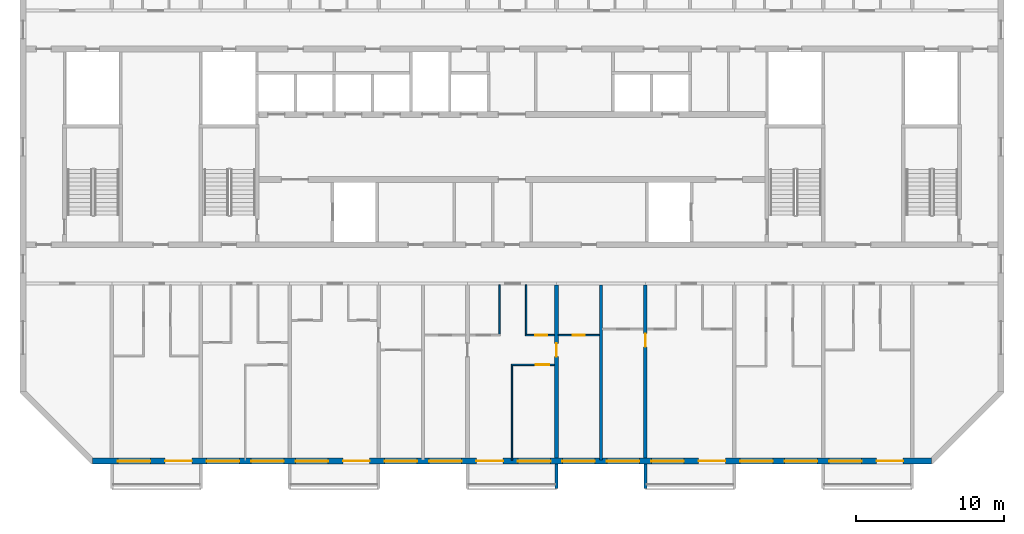
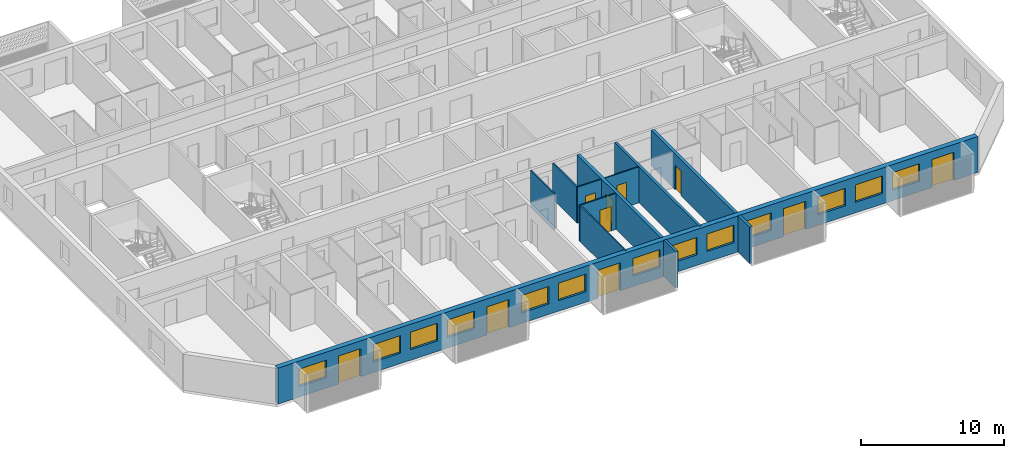
# One storey, part 4 of 26: 13 windows, 12 walls, 10 doors, 23 openings.
"""IFC4 building model written with IfcOpenShell, lengths in metres."""

import ifcopenshell
import ifcopenshell.guid

model = None  # the IFC model being written
_history = None  # IfcOwnerHistory: only IFC2X3 demands one
_inside = {}  # id of a spatial element -> (the spatial element, [elements in it])
_under = {}  # id of a project, library or spatial element -> (it, [spatial elements below it])
_declared = {}  # id of a project -> (the project, [libraries it declares])
_typed = {}  # id of a type object -> (the type object, [elements of that type])
_made_of = {}  # id of a material, layer set ... -> (it, [elements and type objects made of it])


def new_model(schema):
    """Start an empty IFC model of exactly this schema.

    Asked for "IFC4X3", IfcOpenShell would pick the latest addendum, in which some entities
    have other attributes; the version numbers below select the first issue.
    IFC2X3 requires an IfcOwnerHistory on every rooted entity: one is made here for all.
    """
    global model, _history
    if schema == "IFC4X3":
        model = ifcopenshell.file(schema_version=(4, 3, 0, 0))
    else:
        model = ifcopenshell.file(schema=schema)
    _inside.clear()
    _under.clear()
    _declared.clear()
    _typed.clear()
    _made_of.clear()
    _history = None
    if model.schema == "IFC2X3":
        org = make("IfcOrganization", Name="unknown")
        user = make(
            "IfcPersonAndOrganization",
            ThePerson=make("IfcPerson", FamilyName="unknown"),
            TheOrganization=org,
        )
        app = make(
            "IfcApplication",
            ApplicationDeveloper=org,
            Version="unknown",
            ApplicationFullName="unknown",
            ApplicationIdentifier="unknown",
        )
        _history = make(
            "IfcOwnerHistory",
            OwningUser=user,
            OwningApplication=app,
            ChangeAction="ADDED",
            CreationDate=0,
        )
    return model


def make(cls, **values):
    """One entity of the class cls with the attributes given. An attribute that is None is left unset."""
    return model.create_entity(
        cls, **{name: value for name, value in values.items() if value is not None}
    )


def rooted(cls, **values):
    """An entity with a GlobalId (a new one), such as an element, a storey or a relation."""
    return make(cls, GlobalId=ifcopenshell.guid.new(), OwnerHistory=_history, **values)


def si_unit(unit_type, name, prefix=None):
    """IfcSIUnit, for example si_unit("LENGTHUNIT", "METRE", prefix="MILLI")."""
    return make("IfcSIUnit", UnitType=unit_type, Prefix=prefix, Name=name)


def assignment(units):
    """IfcUnitAssignment: the units of a project."""
    return None if units is None else make("IfcUnitAssignment", Units=units)


def point(xyz):
    """IfcCartesianPoint."""
    return None if xyz is None else make("IfcCartesianPoint", Coordinates=xyz)


def direction(xyz):
    """IfcDirection."""
    return None if xyz is None else make("IfcDirection", DirectionRatios=xyz)


def frame(location, z_axis=None, x_axis=None):
    """IfcAxis2Placement3D, a coordinate frame: its origin and axes. An axis left out is left unset."""
    return make(
        "IfcAxis2Placement3D",
        Location=point(location),
        Axis=direction(z_axis),
        RefDirection=direction(x_axis),
    )


def frame_2d(location, x_axis=None):
    """IfcAxis2Placement2D, a coordinate frame in the plane: its origin and x axis."""
    return make(
        "IfcAxis2Placement2D", Location=point(location), RefDirection=direction(x_axis)
    )


def origin():
    """The frame at (0, 0, 0) with its axes left unset."""
    return frame((0.0, 0.0, 0.0))


def place(relative_to, where):
    """IfcLocalPlacement: puts the frame where relative to a parent placement (None: the world)."""
    return make(
        "IfcLocalPlacement", PlacementRelTo=relative_to, RelativePlacement=where
    )


def context(
    kind, dimensions, precision=None, world=None, true_north=None, identifier=None
):
    """IfcGeometricRepresentationContext, for example the 3D "Model" context."""
    return make(
        "IfcGeometricRepresentationContext",
        ContextIdentifier=identifier,
        ContextType=kind,
        CoordinateSpaceDimension=dimensions,
        Precision=precision,
        WorldCoordinateSystem=world,
        TrueNorth=true_north,
    )


def subcontext(parent, identifier, kind, view, scale=None):
    """IfcGeometricRepresentationSubContext, for example "Body" below "Model"."""
    return make(
        "IfcGeometricRepresentationSubContext",
        ContextIdentifier=identifier,
        ContextType=kind,
        ParentContext=parent,
        TargetScale=scale,
        TargetView=view,
    )


def project(units=None, contexts=None):
    """IfcProject with its units and contexts."""
    return rooted(
        "IfcProject",
        Name="project",
        RepresentationContexts=contexts,
        UnitsInContext=assignment(units),
    )


def spatial(cls, under=None, at=None, **own):
    """A site, building, storey or space (cls), placed at a placement, below another one or the project."""
    s = rooted(cls, ObjectPlacement=at, **own)
    if under is not None:
        _under.setdefault(under.id(), (under, []))[1].append(s)
    return s


def polyline(points):
    """IfcPolyline through the points."""
    return make("IfcPolyline", Points=[point(p) for p in points])


def profile(cls, at=None, kind="AREA", **sizes):
    """A parametric profile (cls). Its sizes go by their IFC names, for example OverallWidth=200.0."""
    return make(cls, ProfileType=kind, Position=at, **sizes)


def rectangle(**sizes):
    """IfcRectangleProfileDef."""
    return profile("IfcRectangleProfileDef", **sizes)


def outline(outer, holes=None, kind="AREA"):
    """IfcArbitraryClosedProfileDef: a profile drawn as a closed curve; with holes, ...WithVoids."""
    if holes is None:
        return make("IfcArbitraryClosedProfileDef", ProfileType=kind, OuterCurve=outer)
    return make(
        "IfcArbitraryProfileDefWithVoids",
        ProfileType=kind,
        OuterCurve=outer,
        InnerCurves=holes,
    )


def extrude(swept, where, along, depth):
    """IfcExtrudedAreaSolid: the profile swept, set in the frame where, extruded along a direction by depth."""
    return make(
        "IfcExtrudedAreaSolid",
        SweptArea=swept,
        Position=where,
        ExtrudedDirection=direction(along),
        Depth=depth,
    )


def shape(context_of_items, identifier, shape_type, items):
    """IfcShapeRepresentation: the items that make up one representation, for example the "Body"."""
    return make(
        "IfcShapeRepresentation",
        ContextOfItems=context_of_items,
        RepresentationIdentifier=identifier,
        RepresentationType=shape_type,
        Items=items,
    )


def source(mapping_origin, context_of_items, identifier, shape_type, items):
    """IfcRepresentationMap: a shape defined once, which mapped items show again and again."""
    return make(
        "IfcRepresentationMap",
        MappingOrigin=mapping_origin,
        MappedRepresentation=shape(context_of_items, identifier, shape_type, items),
    )


def transform(
    local_origin,
    x_axis=None,
    y_axis=None,
    z_axis=None,
    scale=None,
    scale2=None,
    scale3=None,
    uniform=True,
):
    """IfcCartesianTransformationOperator3D, or its non-uniform kind. x_axis, y_axis, z_axis: its Axis1, 2, 3."""
    if uniform:
        return make(
            "IfcCartesianTransformationOperator3D",
            Axis1=direction(x_axis),
            Axis2=direction(y_axis),
            LocalOrigin=point(local_origin),
            Scale=scale,
            Axis3=direction(z_axis),
        )
    return make(
        "IfcCartesianTransformationOperator3DnonUniform",
        Axis1=direction(x_axis),
        Axis2=direction(y_axis),
        LocalOrigin=point(local_origin),
        Scale=scale,
        Axis3=direction(z_axis),
        Scale2=scale2,
        Scale3=scale3,
    )


def mapped(mapping_source, mapping_target):
    """IfcMappedItem: shows the shape of a source again, moved by a transform."""
    return make(
        "IfcMappedItem", MappingSource=mapping_source, MappingTarget=mapping_target
    )


def material(Name=None, Category=None):
    """IfcMaterial."""
    return make("IfcMaterial", Name=Name, Category=Category)


def layer(
    of_material, thickness, ventilated=None, Name=None, Category=None, Priority=None
):
    """IfcMaterialLayer: one layer of a wall or slab, of a material (None: an air gap)."""
    return make(
        "IfcMaterialLayer",
        Material=of_material,
        LayerThickness=thickness,
        IsVentilated=ventilated,
        Name=Name,
        Category=Category,
        Priority=Priority,
    )


def layer_set(layers, Name=None):
    """IfcMaterialLayerSet."""
    return make("IfcMaterialLayerSet", MaterialLayers=layers, LayerSetName=Name)


def made_of(thing, what):
    """Note that an element or type object is made of a material, layer set ...; save() writes the relation."""
    if what is not None:
        _made_of.setdefault(what.id(), (what, []))[1].append(thing)
    return thing


def type_object(cls, material=None, **own):
    """A type object (cls), such as IfcWallType, which elements share."""
    return made_of(rooted(cls, **own), material)


def element(
    cls,
    number,
    at=None,
    inside=None,
    cuts=None,
    type_object=None,
    material=None,
    context=None,
    identifier="Body",
    shape_type=None,
    held_by="IfcProductDefinitionShape",
    body=None,
    shapes=None,
    **own,
):
    """One element of the class cls, such as IfcWall. Its Tag is "e" and its number.

    at: its placement. inside: the storey or other place that contains it. cuts: it is an
    opening in that element (IfcRelVoidsElement). A single representation is given by context,
    identifier, shape_type and body (its items); several are given by shapes. held_by: the class
    of the entity that holds the representations. save() writes the other relations.
    """
    e = rooted(cls, Tag="e%d" % number, ObjectPlacement=at, **own)
    if body is not None:
        shapes = [shape(context, identifier, shape_type, body)]
    if shapes is not None:
        e.Representation = make(held_by, Representations=shapes)
    if inside is not None:
        _inside.setdefault(inside.id(), (inside, []))[1].append(e)
    if cuts is not None:
        rooted(
            "IfcRelVoidsElement", RelatingBuildingElement=cuts, RelatedOpeningElement=e
        )
    if type_object is not None:
        _typed.setdefault(type_object.id(), (type_object, []))[1].append(e)
    return made_of(e, material)


def fill(opening, filler):
    """IfcRelFillsElement: the door or window that sits in an opening."""
    return rooted(
        "IfcRelFillsElement",
        RelatingOpeningElement=opening,
        RelatedBuildingElement=filler,
    )


def aggregate(whole, parts):
    """IfcRelAggregates: a whole, such as a stair, and the parts it consists of."""
    return rooted("IfcRelAggregates", RelatingObject=whole, RelatedObjects=parts)


def save(model, path):
    """Write the relations noted so far, then the file.

    IfcRelAggregates (storeys below a building ...), IfcRelContainedInSpatialStructure (elements
    in a storey), IfcRelDefinesByType, IfcRelAssociatesMaterial and IfcRelDeclares: one each for
    every whole, place, type object, material and project.
    """
    for whole, parts in _under.values():
        aggregate(whole, parts)
    for where, things in _inside.values():
        rooted(
            "IfcRelContainedInSpatialStructure",
            RelatedElements=things,
            RelatingStructure=where,
        )
    for kind, things in _typed.values():
        rooted("IfcRelDefinesByType", RelatedObjects=things, RelatingType=kind)
    for what, things in _made_of.values():
        rooted("IfcRelAssociatesMaterial", RelatedObjects=things, RelatingMaterial=what)
    for by, libraries in _declared.values():
        rooted("IfcRelDeclares", RelatingContext=by, RelatedDefinitions=libraries)
    model.write(path)


model = new_model("IFC4")

# Units and contexts
model_context = context("Model", 3, precision=1e-05, world=origin(), true_north=direction((0.0, 1.0)))
body_context = subcontext(model_context, "Body", "Model", "MODEL_VIEW")
ifc_project = project(units=[si_unit("LENGTHUNIT", "METRE"), si_unit("AREAUNIT", "SQUARE_METRE"), si_unit("VOLUMEUNIT", "CUBIC_METRE"), si_unit("PLANEANGLEUNIT", "RADIAN"), si_unit("MASSUNIT", "GRAM", prefix="KILO")], contexts=[model_context])

# Site, building, storey
site_placement = place(None, origin())
site = spatial("IfcSite", under=ifc_project, at=site_placement, CompositionType="ELEMENT")
building_placement = place(site_placement, origin())
building = spatial("IfcBuilding", under=site, at=building_placement, Name="Poui Terraces", CompositionType="ELEMENT")
storey_placement = place(building_placement, frame((0.0, 0.0, 178.5)))
storey = spatial("IfcBuildingStorey", under=building, at=storey_placement, Name="L49", CompositionType="ELEMENT", Elevation=178.5)

# Wall, opening, door
ifc_material_1 = material(Name="Concrete 50 MPa", Category="concrete")
ifc_layer_1 = layer(ifc_material_1, 0.25)
ifc_layer_set_1 = layer_set([ifc_layer_1], Name="Concrete 50 MPa")
wall_type_1 = type_object("IfcWallType", Name="CROSS WALL 250 50MPa", PredefinedType="SHEAR", material=ifc_layer_set_1)
wall_1_placement = place(storey_placement, frame((54.0, 0.199951171875, 0.0), z_axis=(0.0, 0.0, 1.0), x_axis=(0.0, 1.0, 0.0)))
wall_1 = element("IfcWall", 1, at=wall_1_placement, inside=storey, type_object=wall_type_1, Name="CROSS WALL LINE 10 SOUTH", PredefinedType="SHEAR", context=body_context, shape_type="SweptSolid", body=[
    extrude(rectangle(XDim=11.699951171875, YDim=0.25, at=frame_2d((5.85009765625, 0.0))), origin(), (0.0, 0.0, 1.0), 3.080078125),
])
opening_1_placement = place(wall_1_placement, frame((6.85009765625, 0.0, 0.0)))
opening_1 = element("IfcOpeningElement", 2, at=opening_1_placement, cuts=wall_1, Name="Opening D90", PredefinedType="OPENING", context=body_context, shape_type="SweptSolid", body=[
    extrude(rectangle(XDim=0.89990234375, YDim=2.10009765625, at=frame_2d((0.449951171875, 1.050048828125))), frame((0.0, 0.135009765625, 0.0), z_axis=(0.0, -1.0, 0.0), x_axis=(1.0, 0.0, 0.0)), (0.0, 0.0, 1.0), 0.27001953125),
])
ifc_material_2 = material(Name="Solid core timber door", Category="wood")
door_type_1 = type_object("IfcDoorType", Name="INTERNAL DOOR 900 X 2100", OperationType="NOTDEFINED", PredefinedType="DOOR", material=ifc_material_2)
door_1_placement = place(opening_1_placement, frame((0.89990234375, 0.0, 0.0), z_axis=(0.0, 0.0, 1.0), x_axis=(-1.0, 0.0, 0.0)))
door_1 = element("IfcDoor", 3, at=door_1_placement, inside=storey, type_object=door_type_1, Name="INTERNAL DOOR 082", OperationType="SINGLE_SWING_LEFT", OverallHeight=2.10009765625, OverallWidth=0.89990234375, PredefinedType="DOOR", context=body_context, shape_type="SweptSolid", body=[
    extrude(rectangle(XDim=0.89990234375, YDim=2.10009765625, at=frame_2d((0.449951171875, 1.050048828125))), frame((0.0, 0.02490234375, 0.0), z_axis=(0.0, -1.0, 0.0), x_axis=(1.0, 0.0, 0.0)), (0.0, 0.0, 1.0), 0.050048828125),
])
fill(opening_1, door_1)

wall_2_placement = place(storey_placement, frame((60.0, 0.199951171875, 0.0), z_axis=(0.0, 0.0, 1.0), x_axis=(0.0, 1.0, 0.0)))
wall_2 = element("IfcWall", 4, at=wall_2_placement, inside=storey, type_object=wall_type_1, Name="CROSS WALL LINE 11 SOUTH", PredefinedType="SHEAR", context=body_context, shape_type="SweptSolid", body=[
    extrude(rectangle(XDim=11.699951171875, YDim=0.25, at=frame_2d((5.85009765625, 0.0))), origin(), (0.0, 0.0, 1.0), 3.080078125),
])
opening_2_placement = place(wall_2_placement, frame((7.5, 0.0, 0.0)))
opening_2 = element("IfcOpeningElement", 5, at=opening_2_placement, cuts=wall_2, Name="Opening D90", PredefinedType="OPENING", context=body_context, shape_type="SweptSolid", body=[
    extrude(rectangle(XDim=0.89990234375, YDim=2.10009765625, at=frame_2d((0.449951171875, 1.050048828125))), frame((0.0, 0.135009765625, 0.0), z_axis=(0.0, -1.0, 0.0), x_axis=(1.0, 0.0, 0.0)), (0.0, 0.0, 1.0), 0.27001953125),
])
door_2_placement = place(opening_2_placement, origin())
door_2 = element("IfcDoor", 6, at=door_2_placement, inside=storey, type_object=door_type_1, Name="INTERNAL DOOR 084", OperationType="SINGLE_SWING_RIGHT", OverallHeight=2.10009765625, OverallWidth=0.89990234375, PredefinedType="DOOR", context=body_context, shape_type="SweptSolid", body=[
    extrude(rectangle(XDim=0.89990234375, YDim=2.10009765625, at=frame_2d((0.449951171875, 1.050048828125))), frame((0.0, 0.02490234375, 0.0), z_axis=(0.0, -1.0, 0.0), x_axis=(1.0, 0.0, 0.0)), (0.0, 0.0, 1.0), 0.050048828125),
])
fill(opening_2, door_2)

# Wall, openings, doors, windows
ifc_material_3 = material(Name="Precast concrete 40 MPa", Category="concrete")
ifc_layer_2 = layer(ifc_material_3, 0.39990234375)
ifc_layer_set_2 = layer_set([ifc_layer_2], Name="Precast concrete 40 MPa")
wall_type_2 = type_object("IfcWallType", Name="EXTERNAL WALL 400", PredefinedType="STANDARD", material=ifc_layer_set_2)
wall_3_placement = place(storey_placement, frame((22.682861328125, 0.0, 0.0), z_axis=(0.0, 0.0, 1.0), x_axis=(1.0, 0.0, 0.0)))
wall_3 = element("IfcWall", 7, at=wall_3_placement, inside=storey, type_object=wall_type_2, Name="EXTERNAL WALL S", PredefinedType="STANDARD", context=body_context, shape_type="SweptSolid", body=[
    extrude(rectangle(XDim=56.63427734375, YDim=0.39990234375, at=frame_2d((28.317138671875, 0.0))), origin(), (0.0, 0.0, 1.0), 3.080078125),
])
opening_3_placement = place(wall_3_placement, frame((1.71728515625, 0.0, 0.89990234375)))
opening_3 = element("IfcOpeningElement", 8, at=opening_3_placement, cuts=wall_3, Name="Opening W1", PredefinedType="OPENING", context=body_context, shape_type="SweptSolid", body=[
    extrude(rectangle(XDim=2.199951171875, YDim=1.5, at=frame_2d((1.10009765625, 0.75))), frame((0.0, 0.2099609375, 0.0), z_axis=(0.0, -1.0, 0.0), x_axis=(1.0, 0.0, 0.0)), (0.0, 0.0, 1.0), 0.419921875),
])
opening_4_placement = place(wall_3_placement, frame((4.917236328125, 0.0, 0.0)))
opening_4 = element("IfcOpeningElement", 9, at=opening_4_placement, cuts=wall_3, Name="Opening BD1", PredefinedType="OPENING", context=body_context, shape_type="SweptSolid", body=[
    extrude(rectangle(XDim=1.800048828125, YDim=2.39990234375, at=frame_2d((0.89990234375, 1.199951171875))), frame((0.0, 0.2099609375, 0.0), z_axis=(0.0, -1.0, 0.0), x_axis=(1.0, 0.0, 0.0)), (0.0, 0.0, 1.0), 0.419921875),
])
opening_5_placement = place(wall_3_placement, frame((7.71728515625, 0.0, 0.89990234375)))
opening_5 = element("IfcOpeningElement", 10, at=opening_5_placement, cuts=wall_3, Name="Opening W1", PredefinedType="OPENING", context=body_context, shape_type="SweptSolid", body=[
    extrude(rectangle(XDim=2.199951171875, YDim=1.5, at=frame_2d((1.10009765625, 0.75))), frame((0.0, 0.2099609375, 0.0), z_axis=(0.0, -1.0, 0.0), x_axis=(1.0, 0.0, 0.0)), (0.0, 0.0, 1.0), 0.419921875),
])
opening_6_placement = place(wall_3_placement, frame((10.71728515625, 0.0, 0.89990234375)))
opening_6 = element("IfcOpeningElement", 11, at=opening_6_placement, cuts=wall_3, Name="Opening W1", PredefinedType="OPENING", context=body_context, shape_type="SweptSolid", body=[
    extrude(rectangle(XDim=2.199951171875, YDim=1.5, at=frame_2d((1.10009765625, 0.75))), frame((0.0, 0.2099609375, 0.0), z_axis=(0.0, -1.0, 0.0), x_axis=(1.0, 0.0, 0.0)), (0.0, 0.0, 1.0), 0.419921875),
])
opening_7_placement = place(wall_3_placement, frame((13.71728515625, 0.0, 0.89990234375)))
opening_7 = element("IfcOpeningElement", 12, at=opening_7_placement, cuts=wall_3, Name="Opening W1", PredefinedType="OPENING", context=body_context, shape_type="SweptSolid", body=[
    extrude(rectangle(XDim=2.199951171875, YDim=1.5, at=frame_2d((1.10009765625, 0.75))), frame((0.0, 0.2099609375, 0.0), z_axis=(0.0, -1.0, 0.0), x_axis=(1.0, 0.0, 0.0)), (0.0, 0.0, 1.0), 0.419921875),
])
opening_8_placement = place(wall_3_placement, frame((16.917236328125, 0.0, 0.0)))
opening_8 = element("IfcOpeningElement", 13, at=opening_8_placement, cuts=wall_3, Name="Opening BD1", PredefinedType="OPENING", context=body_context, shape_type="SweptSolid", body=[
    extrude(rectangle(XDim=1.800048828125, YDim=2.39990234375, at=frame_2d((0.89990234375, 1.199951171875))), frame((0.0, 0.2099609375, 0.0), z_axis=(0.0, -1.0, 0.0), x_axis=(1.0, 0.0, 0.0)), (0.0, 0.0, 1.0), 0.419921875),
])
opening_9_placement = place(wall_3_placement, frame((19.71728515625, 0.0, 0.89990234375)))
opening_9 = element("IfcOpeningElement", 14, at=opening_9_placement, cuts=wall_3, Name="Opening W1", PredefinedType="OPENING", context=body_context, shape_type="SweptSolid", body=[
    extrude(rectangle(XDim=2.199951171875, YDim=1.5, at=frame_2d((1.10009765625, 0.75))), frame((0.0, 0.2099609375, 0.0), z_axis=(0.0, -1.0, 0.0), x_axis=(1.0, 0.0, 0.0)), (0.0, 0.0, 1.0), 0.419921875),
])
opening_10_placement = place(wall_3_placement, frame((22.71728515625, 0.0, 0.89990234375)))
opening_10 = element("IfcOpeningElement", 15, at=opening_10_placement, cuts=wall_3, Name="Opening W1", PredefinedType="OPENING", context=body_context, shape_type="SweptSolid", body=[
    extrude(rectangle(XDim=2.199951171875, YDim=1.5, at=frame_2d((1.10009765625, 0.75))), frame((0.0, 0.2099609375, 0.0), z_axis=(0.0, -1.0, 0.0), x_axis=(1.0, 0.0, 0.0)), (0.0, 0.0, 1.0), 0.419921875),
])
opening_11_placement = place(wall_3_placement, frame((25.917236328125, 0.0, 0.0)))
opening_11 = element("IfcOpeningElement", 16, at=opening_11_placement, cuts=wall_3, Name="Opening BD1", PredefinedType="OPENING", context=body_context, shape_type="SweptSolid", body=[
    extrude(rectangle(XDim=1.800048828125, YDim=2.39990234375, at=frame_2d((0.89990234375, 1.199951171875))), frame((0.0, 0.2099609375, 0.0), z_axis=(0.0, -1.0, 0.0), x_axis=(1.0, 0.0, 0.0)), (0.0, 0.0, 1.0), 0.419921875),
])
opening_12_placement = place(wall_3_placement, frame((28.71728515625, 0.0, 0.89990234375)))
opening_12 = element("IfcOpeningElement", 17, at=opening_12_placement, cuts=wall_3, Name="Opening W1", PredefinedType="OPENING", context=body_context, shape_type="SweptSolid", body=[
    extrude(rectangle(XDim=2.199951171875, YDim=1.5, at=frame_2d((1.10009765625, 0.75))), frame((0.0, 0.2099609375, 0.0), z_axis=(0.0, -1.0, 0.0), x_axis=(1.0, 0.0, 0.0)), (0.0, 0.0, 1.0), 0.419921875),
])
opening_13_placement = place(wall_3_placement, frame((31.71728515625, 0.0, 0.89990234375)))
opening_13 = element("IfcOpeningElement", 18, at=opening_13_placement, cuts=wall_3, Name="Opening W1", PredefinedType="OPENING", context=body_context, shape_type="SweptSolid", body=[
    extrude(rectangle(XDim=2.199951171875, YDim=1.5, at=frame_2d((1.10009765625, 0.75))), frame((0.0, 0.2099609375, 0.0), z_axis=(0.0, -1.0, 0.0), x_axis=(1.0, 0.0, 0.0)), (0.0, 0.0, 1.0), 0.419921875),
])
opening_14_placement = place(wall_3_placement, frame((34.71728515625, 0.0, 0.89990234375)))
opening_14 = element("IfcOpeningElement", 19, at=opening_14_placement, cuts=wall_3, Name="Opening W1", PredefinedType="OPENING", context=body_context, shape_type="SweptSolid", body=[
    extrude(rectangle(XDim=2.199951171875, YDim=1.5, at=frame_2d((1.10009765625, 0.75))), frame((0.0, 0.2099609375, 0.0), z_axis=(0.0, -1.0, 0.0), x_axis=(1.0, 0.0, 0.0)), (0.0, 0.0, 1.0), 0.419921875),
])
opening_15_placement = place(wall_3_placement, frame((37.71728515625, 0.0, 0.89990234375)))
opening_15 = element("IfcOpeningElement", 20, at=opening_15_placement, cuts=wall_3, Name="Opening W1", PredefinedType="OPENING", context=body_context, shape_type="SweptSolid", body=[
    extrude(rectangle(XDim=2.199951171875, YDim=1.5, at=frame_2d((1.10009765625, 0.75))), frame((0.0, 0.2099609375, 0.0), z_axis=(0.0, -1.0, 0.0), x_axis=(1.0, 0.0, 0.0)), (0.0, 0.0, 1.0), 0.419921875),
])
opening_16_placement = place(wall_3_placement, frame((40.917236328125, 0.0, 0.0)))
opening_16 = element("IfcOpeningElement", 21, at=opening_16_placement, cuts=wall_3, Name="Opening BD1", PredefinedType="OPENING", context=body_context, shape_type="SweptSolid", body=[
    extrude(rectangle(XDim=1.800048828125, YDim=2.39990234375, at=frame_2d((0.89990234375, 1.199951171875))), frame((0.0, 0.2099609375, 0.0), z_axis=(0.0, -1.0, 0.0), x_axis=(1.0, 0.0, 0.0)), (0.0, 0.0, 1.0), 0.419921875),
])
opening_17_placement = place(wall_3_placement, frame((43.71728515625, 0.0, 0.89990234375)))
opening_17 = element("IfcOpeningElement", 22, at=opening_17_placement, cuts=wall_3, Name="Opening W1", PredefinedType="OPENING", context=body_context, shape_type="SweptSolid", body=[
    extrude(rectangle(XDim=2.199951171875, YDim=1.5, at=frame_2d((1.10009765625, 0.75))), frame((0.0, 0.2099609375, 0.0), z_axis=(0.0, -1.0, 0.0), x_axis=(1.0, 0.0, 0.0)), (0.0, 0.0, 1.0), 0.419921875),
])
opening_18_placement = place(wall_3_placement, frame((46.71728515625, 0.0, 0.89990234375)))
opening_18 = element("IfcOpeningElement", 23, at=opening_18_placement, cuts=wall_3, Name="Opening W1", PredefinedType="OPENING", context=body_context, shape_type="SweptSolid", body=[
    extrude(rectangle(XDim=2.199951171875, YDim=1.5, at=frame_2d((1.10009765625, 0.75))), frame((0.0, 0.2099609375, 0.0), z_axis=(0.0, -1.0, 0.0), x_axis=(1.0, 0.0, 0.0)), (0.0, 0.0, 1.0), 0.419921875),
])
opening_19_placement = place(wall_3_placement, frame((49.71728515625, 0.0, 0.89990234375)))
opening_19 = element("IfcOpeningElement", 24, at=opening_19_placement, cuts=wall_3, Name="Opening W1", PredefinedType="OPENING", context=body_context, shape_type="SweptSolid", body=[
    extrude(rectangle(XDim=2.199951171875, YDim=1.5, at=frame_2d((1.10009765625, 0.75))), frame((0.0, 0.2099609375, 0.0), z_axis=(0.0, -1.0, 0.0), x_axis=(1.0, 0.0, 0.0)), (0.0, 0.0, 1.0), 0.419921875),
])
opening_20_placement = place(wall_3_placement, frame((52.917236328125, 0.0, 0.0)))
opening_20 = element("IfcOpeningElement", 25, at=opening_20_placement, cuts=wall_3, Name="Opening BD1", PredefinedType="OPENING", context=body_context, shape_type="SweptSolid", body=[
    extrude(rectangle(XDim=1.800048828125, YDim=2.39990234375, at=frame_2d((0.89990234375, 1.199951171875))), frame((0.0, 0.2099609375, 0.0), z_axis=(0.0, -1.0, 0.0), x_axis=(1.0, 0.0, 0.0)), (0.0, 0.0, 1.0), 0.419921875),
])
ifc_material_4 = material(Name="Clear glass in aluminium frame", Category="aluminium")
door_type_2 = type_object("IfcDoorType", Name="BALCONY DOOR 1800X2400", OperationType="DOUBLE_DOOR_SLIDING", PredefinedType="DOOR", material=ifc_material_4)
door_3_placement = place(opening_4_placement, origin())
door_3 = element("IfcDoor", 26, at=door_3_placement, inside=storey, type_object=door_type_2, Name="BD1 BALCONY DOOR", OperationType="DOUBLE_DOOR_SLIDING", OverallHeight=2.39990234375, OverallWidth=1.800048828125, PredefinedType="DOOR", context=body_context, shape_type="SweptSolid", body=[
    extrude(rectangle(XDim=1.800048828125, YDim=2.39990234375, at=frame_2d((0.89990234375, 1.199951171875))), frame((0.0, 0.02490234375, 0.0), z_axis=(0.0, -1.0, 0.0), x_axis=(1.0, 0.0, 0.0)), (0.0, 0.0, 1.0), 0.050048828125),
])
fill(opening_4, door_3)
door_4_placement = place(opening_8_placement, origin())
door_4 = element("IfcDoor", 27, at=door_4_placement, inside=storey, type_object=door_type_2, Name="BD1 BALCONY DOOR", OperationType="DOUBLE_DOOR_SLIDING", OverallHeight=2.39990234375, OverallWidth=1.800048828125, PredefinedType="DOOR", context=body_context, shape_type="SweptSolid", body=[
    extrude(rectangle(XDim=1.800048828125, YDim=2.39990234375, at=frame_2d((0.89990234375, 1.199951171875))), frame((0.0, 0.02490234375, 0.0), z_axis=(0.0, -1.0, 0.0), x_axis=(1.0, 0.0, 0.0)), (0.0, 0.0, 1.0), 0.050048828125),
])
fill(opening_8, door_4)
door_5_placement = place(opening_11_placement, origin())
door_5 = element("IfcDoor", 28, at=door_5_placement, inside=storey, type_object=door_type_2, Name="BD1 BALCONY DOOR", OperationType="DOUBLE_DOOR_SLIDING", OverallHeight=2.39990234375, OverallWidth=1.800048828125, PredefinedType="DOOR", context=body_context, shape_type="SweptSolid", body=[
    extrude(rectangle(XDim=1.800048828125, YDim=2.39990234375, at=frame_2d((0.89990234375, 1.199951171875))), frame((0.0, 0.02490234375, 0.0), z_axis=(0.0, -1.0, 0.0), x_axis=(1.0, 0.0, 0.0)), (0.0, 0.0, 1.0), 0.050048828125),
])
fill(opening_11, door_5)
door_6_placement = place(opening_16_placement, origin())
door_6 = element("IfcDoor", 29, at=door_6_placement, inside=storey, type_object=door_type_2, Name="BD1 BALCONY DOOR", OperationType="DOUBLE_DOOR_SLIDING", OverallHeight=2.39990234375, OverallWidth=1.800048828125, PredefinedType="DOOR", context=body_context, shape_type="SweptSolid", body=[
    extrude(rectangle(XDim=1.800048828125, YDim=2.39990234375, at=frame_2d((0.89990234375, 1.199951171875))), frame((0.0, 0.02490234375, 0.0), z_axis=(0.0, -1.0, 0.0), x_axis=(1.0, 0.0, 0.0)), (0.0, 0.0, 1.0), 0.050048828125),
])
fill(opening_16, door_6)
door_7_placement = place(opening_20_placement, origin())
door_7 = element("IfcDoor", 30, at=door_7_placement, inside=storey, type_object=door_type_2, Name="BD1 BALCONY DOOR", OperationType="DOUBLE_DOOR_SLIDING", OverallHeight=2.39990234375, OverallWidth=1.800048828125, PredefinedType="DOOR", context=body_context, shape_type="SweptSolid", body=[
    extrude(rectangle(XDim=1.800048828125, YDim=2.39990234375, at=frame_2d((0.89990234375, 1.199951171875))), frame((0.0, 0.02490234375, 0.0), z_axis=(0.0, -1.0, 0.0), x_axis=(1.0, 0.0, 0.0)), (0.0, 0.0, 1.0), 0.050048828125),
])
fill(opening_20, door_7)
window_type = type_object("IfcWindowType", Name="WINDOW 2200X1500", PartitioningType="DOUBLE_PANEL_HORIZONTAL", PredefinedType="WINDOW", material=ifc_material_4)
window_1_placement = place(opening_3_placement, origin())
window_1 = element("IfcWindow", 31, at=window_1_placement, inside=storey, type_object=window_type, Name="W1 WINDOW", OverallHeight=1.5, OverallWidth=2.199951171875, PartitioningType="DOUBLE_PANEL_HORIZONTAL", PredefinedType="WINDOW", context=body_context, shape_type="SweptSolid", body=[
    extrude(rectangle(XDim=2.199951171875, YDim=1.5, at=frame_2d((1.10009765625, 0.75))), frame((0.0, 0.030029296875, 0.0), z_axis=(0.0, -1.0, 0.0), x_axis=(1.0, 0.0, 0.0)), (0.0, 0.0, 1.0), 0.06005859375),
])
fill(opening_3, window_1)
window_2_placement = place(opening_5_placement, origin())
window_2 = element("IfcWindow", 32, at=window_2_placement, inside=storey, type_object=window_type, Name="W1 WINDOW", OverallHeight=1.5, OverallWidth=2.199951171875, PartitioningType="DOUBLE_PANEL_HORIZONTAL", PredefinedType="WINDOW", context=body_context, shape_type="SweptSolid", body=[
    extrude(rectangle(XDim=2.199951171875, YDim=1.5, at=frame_2d((1.10009765625, 0.75))), frame((0.0, 0.030029296875, 0.0), z_axis=(0.0, -1.0, 0.0), x_axis=(1.0, 0.0, 0.0)), (0.0, 0.0, 1.0), 0.06005859375),
])
fill(opening_5, window_2)
window_3_placement = place(opening_6_placement, origin())
window_3 = element("IfcWindow", 33, at=window_3_placement, inside=storey, type_object=window_type, Name="W1 WINDOW", OverallHeight=1.5, OverallWidth=2.199951171875, PartitioningType="DOUBLE_PANEL_HORIZONTAL", PredefinedType="WINDOW", context=body_context, shape_type="SweptSolid", body=[
    extrude(rectangle(XDim=2.199951171875, YDim=1.5, at=frame_2d((1.10009765625, 0.75))), frame((0.0, 0.030029296875, 0.0), z_axis=(0.0, -1.0, 0.0), x_axis=(1.0, 0.0, 0.0)), (0.0, 0.0, 1.0), 0.06005859375),
])
fill(opening_6, window_3)
window_4_placement = place(opening_7_placement, origin())
window_4 = element("IfcWindow", 34, at=window_4_placement, inside=storey, type_object=window_type, Name="W1 WINDOW", OverallHeight=1.5, OverallWidth=2.199951171875, PartitioningType="DOUBLE_PANEL_HORIZONTAL", PredefinedType="WINDOW", context=body_context, shape_type="SweptSolid", body=[
    extrude(rectangle(XDim=2.199951171875, YDim=1.5, at=frame_2d((1.10009765625, 0.75))), frame((0.0, 0.030029296875, 0.0), z_axis=(0.0, -1.0, 0.0), x_axis=(1.0, 0.0, 0.0)), (0.0, 0.0, 1.0), 0.06005859375),
])
fill(opening_7, window_4)
window_5_placement = place(opening_9_placement, origin())
window_5 = element("IfcWindow", 35, at=window_5_placement, inside=storey, type_object=window_type, Name="W1 WINDOW", OverallHeight=1.5, OverallWidth=2.199951171875, PartitioningType="DOUBLE_PANEL_HORIZONTAL", PredefinedType="WINDOW", context=body_context, shape_type="SweptSolid", body=[
    extrude(rectangle(XDim=2.199951171875, YDim=1.5, at=frame_2d((1.10009765625, 0.75))), frame((0.0, 0.030029296875, 0.0), z_axis=(0.0, -1.0, 0.0), x_axis=(1.0, 0.0, 0.0)), (0.0, 0.0, 1.0), 0.06005859375),
])
fill(opening_9, window_5)
window_6_placement = place(opening_10_placement, origin())
window_6 = element("IfcWindow", 36, at=window_6_placement, inside=storey, type_object=window_type, Name="W1 WINDOW", OverallHeight=1.5, OverallWidth=2.199951171875, PartitioningType="DOUBLE_PANEL_HORIZONTAL", PredefinedType="WINDOW", context=body_context, shape_type="SweptSolid", body=[
    extrude(rectangle(XDim=2.199951171875, YDim=1.5, at=frame_2d((1.10009765625, 0.75))), frame((0.0, 0.030029296875, 0.0), z_axis=(0.0, -1.0, 0.0), x_axis=(1.0, 0.0, 0.0)), (0.0, 0.0, 1.0), 0.06005859375),
])
fill(opening_10, window_6)
window_7_placement = place(opening_12_placement, origin())
window_7 = element("IfcWindow", 37, at=window_7_placement, inside=storey, type_object=window_type, Name="W1 WINDOW", OverallHeight=1.5, OverallWidth=2.199951171875, PartitioningType="DOUBLE_PANEL_HORIZONTAL", PredefinedType="WINDOW", context=body_context, shape_type="SweptSolid", body=[
    extrude(rectangle(XDim=2.199951171875, YDim=1.5, at=frame_2d((1.10009765625, 0.75))), frame((0.0, 0.030029296875, 0.0), z_axis=(0.0, -1.0, 0.0), x_axis=(1.0, 0.0, 0.0)), (0.0, 0.0, 1.0), 0.06005859375),
])
fill(opening_12, window_7)
window_8_placement = place(opening_13_placement, origin())
window_8 = element("IfcWindow", 38, at=window_8_placement, inside=storey, type_object=window_type, Name="W1 WINDOW", OverallHeight=1.5, OverallWidth=2.199951171875, PartitioningType="DOUBLE_PANEL_HORIZONTAL", PredefinedType="WINDOW", context=body_context, shape_type="SweptSolid", body=[
    extrude(rectangle(XDim=2.199951171875, YDim=1.5, at=frame_2d((1.10009765625, 0.75))), frame((0.0, 0.030029296875, 0.0), z_axis=(0.0, -1.0, 0.0), x_axis=(1.0, 0.0, 0.0)), (0.0, 0.0, 1.0), 0.06005859375),
])
fill(opening_13, window_8)
window_9_placement = place(opening_14_placement, origin())
window_9 = element("IfcWindow", 39, at=window_9_placement, inside=storey, type_object=window_type, Name="W1 WINDOW", OverallHeight=1.5, OverallWidth=2.199951171875, PartitioningType="DOUBLE_PANEL_HORIZONTAL", PredefinedType="WINDOW", context=body_context, shape_type="SweptSolid", body=[
    extrude(rectangle(XDim=2.199951171875, YDim=1.5, at=frame_2d((1.10009765625, 0.75))), frame((0.0, 0.030029296875, 0.0), z_axis=(0.0, -1.0, 0.0), x_axis=(1.0, 0.0, 0.0)), (0.0, 0.0, 1.0), 0.06005859375),
])
fill(opening_14, window_9)
window_10_placement = place(opening_15_placement, origin())
window_10 = element("IfcWindow", 40, at=window_10_placement, inside=storey, type_object=window_type, Name="W1 WINDOW", OverallHeight=1.5, OverallWidth=2.199951171875, PartitioningType="DOUBLE_PANEL_HORIZONTAL", PredefinedType="WINDOW", context=body_context, shape_type="SweptSolid", body=[
    extrude(rectangle(XDim=2.199951171875, YDim=1.5, at=frame_2d((1.10009765625, 0.75))), frame((0.0, 0.030029296875, 0.0), z_axis=(0.0, -1.0, 0.0), x_axis=(1.0, 0.0, 0.0)), (0.0, 0.0, 1.0), 0.06005859375),
])
fill(opening_15, window_10)
window_11_placement = place(opening_17_placement, origin())
window_11 = element("IfcWindow", 41, at=window_11_placement, inside=storey, type_object=window_type, Name="W1 WINDOW", OverallHeight=1.5, OverallWidth=2.199951171875, PartitioningType="DOUBLE_PANEL_HORIZONTAL", PredefinedType="WINDOW", context=body_context, shape_type="SweptSolid", body=[
    extrude(rectangle(XDim=2.199951171875, YDim=1.5, at=frame_2d((1.10009765625, 0.75))), frame((0.0, 0.030029296875, 0.0), z_axis=(0.0, -1.0, 0.0), x_axis=(1.0, 0.0, 0.0)), (0.0, 0.0, 1.0), 0.06005859375),
])
fill(opening_17, window_11)
window_12_placement = place(opening_18_placement, origin())
window_12 = element("IfcWindow", 42, at=window_12_placement, inside=storey, type_object=window_type, Name="W1 WINDOW", OverallHeight=1.5, OverallWidth=2.199951171875, PartitioningType="DOUBLE_PANEL_HORIZONTAL", PredefinedType="WINDOW", context=body_context, shape_type="SweptSolid", body=[
    extrude(rectangle(XDim=2.199951171875, YDim=1.5, at=frame_2d((1.10009765625, 0.75))), frame((0.0, 0.030029296875, 0.0), z_axis=(0.0, -1.0, 0.0), x_axis=(1.0, 0.0, 0.0)), (0.0, 0.0, 1.0), 0.06005859375),
])
fill(opening_18, window_12)
window_13_placement = place(opening_19_placement, origin())
window_13 = element("IfcWindow", 43, at=window_13_placement, inside=storey, type_object=window_type, Name="W1 WINDOW", OverallHeight=1.5, OverallWidth=2.199951171875, PartitioningType="DOUBLE_PANEL_HORIZONTAL", PredefinedType="WINDOW", context=body_context, shape_type="SweptSolid", body=[
    extrude(rectangle(XDim=2.199951171875, YDim=1.5, at=frame_2d((1.10009765625, 0.75))), frame((0.0, 0.030029296875, 0.0), z_axis=(0.0, -1.0, 0.0), x_axis=(1.0, 0.0, 0.0)), (0.0, 0.0, 1.0), 0.06005859375),
])
fill(opening_19, window_13)

# Wall, opening, door
ifc_material_5 = material(Name="Plasterboard partition")
ifc_layer_3 = layer(ifc_material_5, 0.10009765625)
ifc_layer_set_3 = layer_set([ifc_layer_3], Name="Plasterboard partition")
wall_type_3 = type_object("IfcWallType", Name="FLAT PARTITION 100", PredefinedType="PARTITIONING", material=ifc_layer_set_3)
wall_4_placement = place(storey_placement, frame((50.949951171875, 6.5, 0.0), z_axis=(0.0, 0.0, 1.0), x_axis=(1.0, 0.0, 0.0)))
wall_4 = element("IfcWall", 44, at=wall_4_placement, inside=storey, type_object=wall_type_3, Name="FLAT PARTITION 100", PredefinedType="PARTITIONING", context=body_context, shape_type="SweptSolid", body=[
    extrude(rectangle(XDim=2.9150390625, YDim=0.10009765625, at=frame_2d((1.45751953125, 0.0))), origin(), (0.0, 0.0, 1.0), 3.080078125),
])
opening_21_placement = place(wall_4_placement, frame((1.64990234375, 0.0, 0.0)))
opening_21 = element("IfcOpeningElement", 45, at=opening_21_placement, cuts=wall_4, Name="Opening D90", PredefinedType="OPENING", context=body_context, shape_type="SweptSolid", body=[
    extrude(rectangle(XDim=0.89990234375, YDim=2.10009765625, at=frame_2d((0.449951171875, 1.050048828125))), frame((0.0, 0.06005859375, 0.0), z_axis=(0.0, -1.0, 0.0), x_axis=(1.0, 0.0, 0.0)), (0.0, 0.0, 1.0), 0.1201171875),
])
door_8_placement = place(opening_21_placement, origin())
door_8 = element("IfcDoor", 46, at=door_8_placement, inside=storey, type_object=door_type_1, Name="INTERNAL DOOR 081", OperationType="SINGLE_SWING_LEFT", OverallHeight=2.10009765625, OverallWidth=0.89990234375, PredefinedType="DOOR", context=body_context, shape_type="SweptSolid", body=[
    extrude(rectangle(XDim=0.89990234375, YDim=2.10009765625, at=frame_2d((0.449951171875, 1.050048828125))), frame((0.0, 0.02490234375, 0.0), z_axis=(0.0, -1.0, 0.0), x_axis=(1.0, 0.0, 0.0)), (0.0, 0.0, 1.0), 0.050048828125),
])
fill(opening_21, door_8)

wall_5_placement = place(storey_placement, frame((51.89990234375, 8.5, 0.0), z_axis=(0.0, 0.0, 1.0), x_axis=(1.0, 0.0, 0.0)))
wall_5 = element("IfcWall", 47, at=wall_5_placement, inside=storey, type_object=wall_type_3, Name="FLAT PARTITION 100", PredefinedType="PARTITIONING", context=body_context, shape_type="SweptSolid", body=[
    extrude(rectangle(XDim=1.965087890625, YDim=0.10009765625, at=frame_2d((0.982421875, 0.0))), origin(), (0.0, 0.0, 1.0), 3.080078125),
])
opening_22_placement = place(wall_5_placement, frame((0.675048828125, 0.0, 0.0)))
opening_22 = element("IfcOpeningElement", 48, at=opening_22_placement, cuts=wall_5, Name="Opening D80", PredefinedType="OPENING", context=body_context, shape_type="SweptSolid", body=[
    extrude(rectangle(XDim=0.800048828125, YDim=2.10009765625, at=frame_2d((0.39990234375, 1.050048828125))), frame((0.0, 0.06005859375, 0.0), z_axis=(0.0, -1.0, 0.0), x_axis=(1.0, 0.0, 0.0)), (0.0, 0.0, 1.0), 0.1201171875),
])
door_type_3 = type_object("IfcDoorType", Name="BATHROOM, LAUNDRY AND STORE DOOR 800 X 2100", OperationType="NOTDEFINED", PredefinedType="DOOR", material=ifc_material_2)
door_9_placement = place(opening_22_placement, origin())
door_9 = element("IfcDoor", 49, at=door_9_placement, inside=storey, type_object=door_type_3, Name="BATHROOM, LAUNDRY AND STORE DOOR 080", OperationType="SINGLE_SWING_RIGHT", OverallHeight=2.10009765625, OverallWidth=0.800048828125, PredefinedType="DOOR", context=body_context, shape_type="SweptSolid", body=[
    extrude(rectangle(XDim=0.800048828125, YDim=2.10009765625, at=frame_2d((0.39990234375, 1.050048828125))), frame((0.0, 0.02490234375, 0.0), z_axis=(0.0, -1.0, 0.0), x_axis=(1.0, 0.0, 0.0)), (0.0, 0.0, 1.0), 0.050048828125),
])
fill(opening_22, door_9)

wall_6_placement = place(storey_placement, frame((54.135009765625, 8.5, 0.0), z_axis=(0.0, 0.0, 1.0), x_axis=(1.0, 0.0, 0.0)))
wall_6 = element("IfcWall", 50, at=wall_6_placement, inside=storey, type_object=wall_type_3, Name="FLAT PARTITION 100", PredefinedType="PARTITIONING", context=body_context, shape_type="SweptSolid", body=[
    extrude(rectangle(XDim=2.764892578125, YDim=0.10009765625, at=frame_2d((1.38232421875, 0.0))), origin(), (0.0, 0.0, 1.0), 3.080078125),
])
opening_23_placement = place(wall_6_placement, frame((0.965087890625, 0.0, 0.0)))
opening_23 = element("IfcOpeningElement", 51, at=opening_23_placement, cuts=wall_6, Name="Opening D80", PredefinedType="OPENING", context=body_context, shape_type="SweptSolid", body=[
    extrude(rectangle(XDim=0.800048828125, YDim=2.10009765625, at=frame_2d((0.39990234375, 1.050048828125))), frame((0.0, 0.06005859375, 0.0), z_axis=(0.0, -1.0, 0.0), x_axis=(1.0, 0.0, 0.0)), (0.0, 0.0, 1.0), 0.1201171875),
])
door_10_placement = place(opening_23_placement, origin())
door_10 = element("IfcDoor", 52, at=door_10_placement, inside=storey, type_object=door_type_3, Name="BATHROOM, LAUNDRY AND STORE DOOR 076", OperationType="SINGLE_SWING_LEFT", OverallHeight=2.10009765625, OverallWidth=0.800048828125, PredefinedType="DOOR", context=body_context, shape_type="SweptSolid", body=[
    extrude(rectangle(XDim=0.800048828125, YDim=2.10009765625, at=frame_2d((0.39990234375, 1.050048828125))), frame((0.0, 0.02490234375, 0.0), z_axis=(0.0, -1.0, 0.0), x_axis=(1.0, 0.0, 0.0)), (0.0, 0.0, 1.0), 0.050048828125),
])
fill(opening_23, door_10)

# Walls
wall_7_placement = place(storey_placement, frame((50.14990234375, 8.550048828125, 0.0), z_axis=(0.0, 0.0, 1.0), x_axis=(0.0, 1.0, 0.0)))
element("IfcWall", 53, at=wall_7_placement, inside=storey, type_object=wall_type_3, Name="FLAT PARTITION 100", PredefinedType="PARTITIONING", context=body_context, shape_type="SweptSolid", body=[
    extrude(rectangle(XDim=3.33984375, YDim=0.10009765625, at=frame_2d((1.669921875, 0.0))), origin(), (0.0, 0.0, 1.0), 3.080078125),
])
wall_8_placement = place(storey_placement, frame((51.0, 0.06005859375, 0.0), z_axis=(0.0, 0.0, 1.0), x_axis=(0.0, 1.0, 0.0)))
element("IfcWall", 54, at=wall_8_placement, inside=storey, type_object=wall_type_3, Name="FLAT PARTITION 100", PredefinedType="PARTITIONING", context=body_context, shape_type="SweptSolid", body=[
    extrude(rectangle(XDim=6.389892578125, YDim=0.10009765625, at=frame_2d((3.19482421875, 0.0))), origin(), (0.0, 0.0, 1.0), 3.080078125),
])
wall_9_placement = place(storey_placement, frame((51.949951171875, 8.550048828125, 0.0), z_axis=(0.0, 0.0, 1.0), x_axis=(0.0, 1.0, 0.0)))
element("IfcWall", 55, at=wall_9_placement, inside=storey, type_object=wall_type_3, Name="FLAT PARTITION 100", PredefinedType="PARTITIONING", context=body_context, shape_type="SweptSolid", body=[
    extrude(rectangle(XDim=3.33984375, YDim=0.10009765625, at=frame_2d((1.669921875, 0.0))), origin(), (0.0, 0.0, 1.0), 3.080078125),
])
ifc_material_6 = material(Name="Fire-rated masonry wall", Category="masonry")
ifc_layer_4 = layer(ifc_material_6, 0.199951171875)
ifc_layer_set_4 = layer_set([ifc_layer_4], Name="Fire-rated masonry wall")
wall_type_4 = type_object("IfcWallType", Name="FLAT PARTY WALL 200", PredefinedType="PARTITIONING", material=ifc_layer_set_4)
wall_10_placement = place(storey_placement, frame((57.0, 0.06005859375, 0.0), z_axis=(0.0, 0.0, 1.0), x_axis=(0.0, 1.0, 0.0)))
element("IfcWall", 56, at=wall_10_placement, inside=storey, type_object=wall_type_4, Name="FLAT PARTY WALL 200", PredefinedType="PARTITIONING", context=body_context, shape_type="SweptSolid", body=[
    extrude(rectangle(XDim=11.829833984375, YDim=0.199951171875, at=frame_2d((5.9150390625, 0.0))), origin(), (0.0, 0.0, 1.0), 3.080078125),
])
ifc_layer_5 = layer(ifc_material_3, 0.199951171875)
ifc_layer_set_5 = layer_set([ifc_layer_5], Name="Precast concrete 40 MPa")
wall_type_5 = type_object("IfcWallType", Name="REAR FIN 200", PredefinedType="STANDARD", material=ifc_layer_set_5)
shared_shape = source(origin(), body_context, "Body", "SweptSolid", [
    extrude(outline(polyline([(0.0, 0.0), (0.2001953125, 0.0), (0.2001953125, 1.650146484375), (0.0, 1.650146484375), (0.0, 0.0)])), origin(), (0.0, 0.0, 1.0), 3.10009765625),
])
for number, where, name in (
    (57, (53.89990234375, -1.85009765625, 0.0), "REAR FIN"),
    (58, (59.89990234375, -1.85009765625, 0.0), "REAR FIN"),
):
    element("IfcWall", number, at=place(storey_placement, frame(where)), inside=storey, type_object=wall_type_5, Name=name, PredefinedType="STANDARD", context=body_context, shape_type="MappedRepresentation", body=[
        mapped(shared_shape, transform((0.0, 0.0, 0.0))),
    ])

save(model, "model.ifc")
